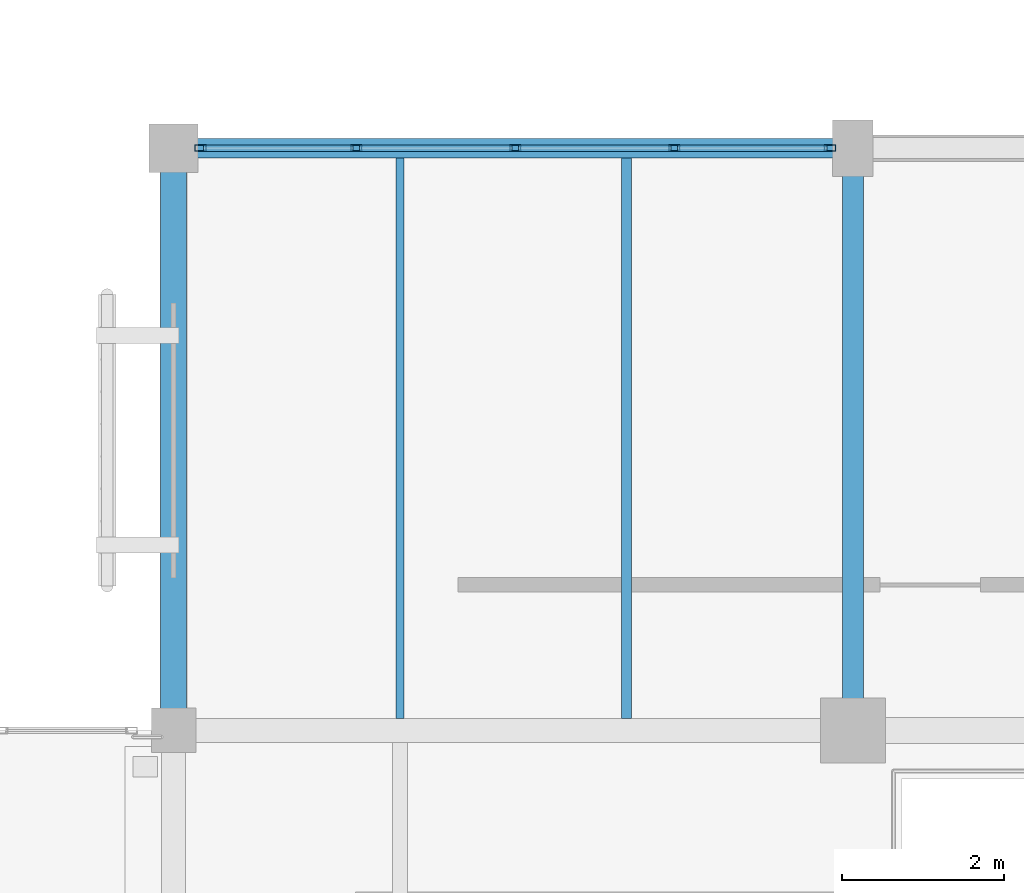
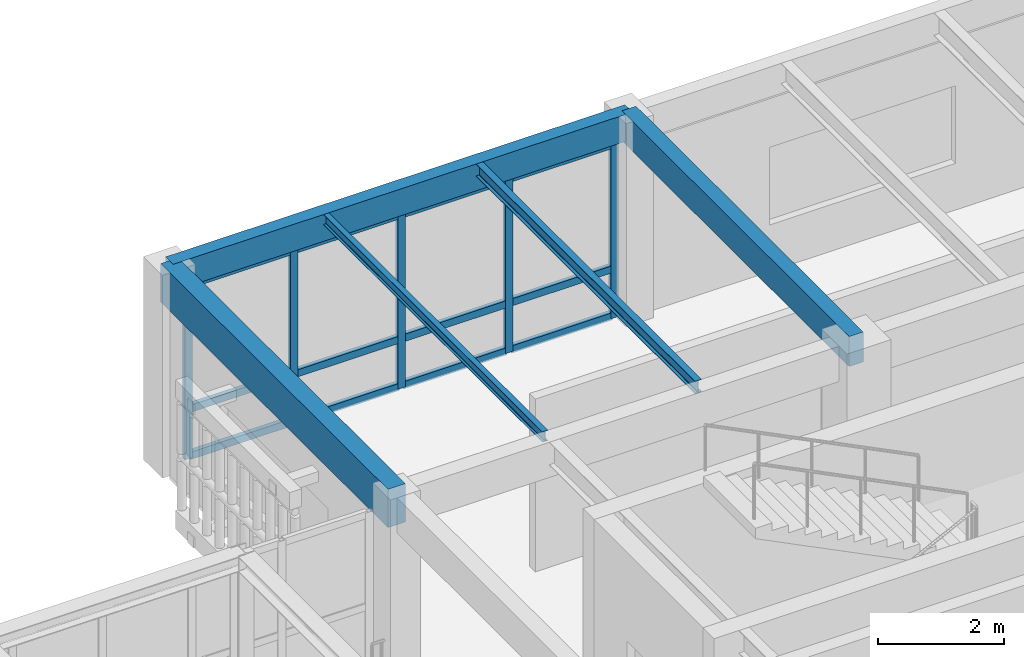
# One storey, part 40 of 170: 17 members, 5 beams, 1 element without a shape of its own.
"""IFC4 building model written with IfcOpenShell, lengths in metres."""

from ifc_helpers import new_model, si_unit, direction, frame, origin, origin_2d, place, context, subcontext, project, spatial, rectangle, hollow_rectangle, i_section, extrude, material, layer, layer_set, material_profile, profile_set, type_object, element, aggregate, save


model = new_model("IFC4")

# Units and contexts
model_context = context("Model", 3, precision=1e-05, world=origin(), true_north=direction((0.0, 1.0)))
body_context = subcontext(model_context, "Body", "Model", "MODEL_VIEW")
ifc_project = project(units=[si_unit("LENGTHUNIT", "METRE"), si_unit("AREAUNIT", "SQUARE_METRE"), si_unit("VOLUMEUNIT", "CUBIC_METRE"), si_unit("PLANEANGLEUNIT", "RADIAN"), si_unit("MASSUNIT", "GRAM", prefix="KILO")], contexts=[model_context])

# Site, building, storey
site_placement = place(None, origin())
site = spatial("IfcSite", under=ifc_project, at=site_placement, CompositionType="ELEMENT")
building_placement = place(site_placement, origin())
building = spatial("IfcBuilding", under=site, at=building_placement, Name="Mazaris Harbour Polytechnic", CompositionType="ELEMENT")
storey_placement = place(building_placement, frame((0.0, 0.0, 5.39990234375)))
storey = spatial("IfcBuildingStorey", under=building, at=storey_placement, Name="L01", CompositionType="ELEMENT", Elevation=5.39990234375)

# Curtain wall, members
ifc_material_1 = material(Name="Anodised Bronze Aluminium and Low-E Glass", Category="aluminium")
ifc_layer = layer(ifc_material_1, 0.159912109375, Name="Anodised Bronze Aluminium and Low-E Glass")
ifc_layer_set = layer_set([ifc_layer], Name="Anodised Bronze Aluminium and Low-E Glass")
curtain_wall_type = type_object("IfcCurtainWallType", Name="Cloister Court Curtain Wall", PredefinedType="NOTDEFINED", material=ifc_layer_set)
curtain_wall_placement = place(storey_placement, origin())
curtain_wall = element("IfcCurtainWall", 1, at=curtain_wall_placement, inside=storey, type_object=curtain_wall_type, Name="V3 L01 Curtain Wall 75", PredefinedType="NOTDEFINED")
ifc_material_2 = material(Name="Anodised Bronze Steel S355", Category="steel")
ifc_material_profile_1 = material_profile(ifc_material_2, hollow_rectangle(XDim=0.080078125, YDim=0.139892578125, WallThickness=0.00634765625, at=origin_2d()), Name="RHS 80x140x6.3")
ifc_profile_set_1 = profile_set([ifc_material_profile_1], Name="Anodised Bronze Steel S355")
member_type_1 = type_object("IfcMemberType", Name="Curtain Mullion RHS80x140", PredefinedType="MULLION", material=ifc_profile_set_1)
member_1_placement = place(storey_placement, frame((54.33203125, 36.0, 0.0), z_axis=(0.0, 0.0, 1.0), x_axis=(0.0, 1.0, 0.0)))
member_1 = element("IfcMember", 2, at=member_1_placement, type_object=member_type_1, Name="CW-02 mullion 1", PredefinedType="MULLION", context=body_context, shape_type="SweptSolid", body=[
    extrude(hollow_rectangle(XDim=0.080078125, YDim=0.139892578125, WallThickness=0.00634765625, at=origin_2d()), origin(), (0.0, 0.0, 1.0), 3.39013671875),
])
member_2_placement = place(storey_placement, frame((56.258544921875, 36.0, 0.0), z_axis=(0.0, 0.0, 1.0), x_axis=(0.0, 1.0, 0.0)))
member_2 = element("IfcMember", 3, at=member_2_placement, type_object=member_type_1, Name="CW-02 mullion 2", PredefinedType="MULLION", context=body_context, shape_type="SweptSolid", body=[
    extrude(hollow_rectangle(XDim=0.080078125, YDim=0.139892578125, WallThickness=0.00634765625, at=origin_2d()), origin(), (0.0, 0.0, 1.0), 3.39013671875),
])
member_3_placement = place(storey_placement, frame((58.22509765625, 36.0, 0.0), z_axis=(0.0, 0.0, 1.0), x_axis=(0.0, 1.0, 0.0)))
member_3 = element("IfcMember", 4, at=member_3_placement, type_object=member_type_1, Name="CW-02 mullion 3", PredefinedType="MULLION", context=body_context, shape_type="SweptSolid", body=[
    extrude(hollow_rectangle(XDim=0.080078125, YDim=0.139892578125, WallThickness=0.00634765625, at=origin_2d()), origin(), (0.0, 0.0, 1.0), 3.39013671875),
])
member_4_placement = place(storey_placement, frame((60.19140625, 36.0, 0.0), z_axis=(0.0, 0.0, 1.0), x_axis=(0.0, 1.0, 0.0)))
member_4 = element("IfcMember", 5, at=member_4_placement, type_object=member_type_1, Name="CW-02 mullion 4", PredefinedType="MULLION", context=body_context, shape_type="SweptSolid", body=[
    extrude(hollow_rectangle(XDim=0.080078125, YDim=0.139892578125, WallThickness=0.00634765625, at=origin_2d()), origin(), (0.0, 0.0, 1.0), 3.39013671875),
])
member_5_placement = place(storey_placement, frame((62.117919921875, 36.0, 0.0), z_axis=(0.0, 0.0, 1.0), x_axis=(0.0, 1.0, 0.0)))
member_5 = element("IfcMember", 6, at=member_5_placement, type_object=member_type_1, Name="CW-02 mullion 5", PredefinedType="MULLION", context=body_context, shape_type="SweptSolid", body=[
    extrude(hollow_rectangle(XDim=0.080078125, YDim=0.139892578125, WallThickness=0.00634765625, at=origin_2d()), origin(), (0.0, 0.0, 1.0), 3.39013671875),
])
ifc_material_3 = material(Name="Anodised Bronze Steel S355", Category="steel")
ifc_material_profile_2 = material_profile(ifc_material_3, hollow_rectangle(XDim=0.080078125, YDim=0.139892578125, WallThickness=0.00634765625, at=origin_2d()), Name="RHS 80x140x6.3")
ifc_profile_set_2 = profile_set([ifc_material_profile_2], Name="Anodised Bronze Steel S355")
member_type_2 = type_object("IfcMemberType", Name="Curtain Transom RHS80x140", PredefinedType="USERDEFINED", material=ifc_profile_set_2)
member_6_placement = place(storey_placement, frame((54.3720703125, 36.0, 0.0400390625), z_axis=(1.0, 0.0, 0.0), x_axis=(0.0, 1.0, 0.0)))
member_6 = element("IfcMember", 7, at=member_6_placement, type_object=member_type_2, Name="CW-02 transom 1.1", ObjectType="TRANSOM", PredefinedType="USERDEFINED", context=body_context, shape_type="SweptSolid", body=[
    extrude(hollow_rectangle(XDim=0.080078125, YDim=0.139892578125, WallThickness=0.00634765625, at=origin_2d()), origin(), (0.0, 0.0, 1.0), 1.846435546875),
])
member_7_placement = place(storey_placement, frame((54.3720703125, 36.0, 0.9501953125), z_axis=(1.0, 0.0, 0.0), x_axis=(0.0, 1.0, 0.0)))
member_7 = element("IfcMember", 8, at=member_7_placement, type_object=member_type_2, Name="CW-02 transom 1.2", ObjectType="TRANSOM", PredefinedType="USERDEFINED", context=body_context, shape_type="SweptSolid", body=[
    extrude(hollow_rectangle(XDim=0.080078125, YDim=0.139892578125, WallThickness=0.00634765625, at=origin_2d()), origin(), (0.0, 0.0, 1.0), 1.846435546875),
])
member_8_placement = place(storey_placement, frame((54.3720703125, 36.0, 3.35009765625), z_axis=(1.0, 0.0, 0.0), x_axis=(0.0, 1.0, 0.0)))
member_8 = element("IfcMember", 9, at=member_8_placement, type_object=member_type_2, Name="CW-02 transom 1.3", ObjectType="TRANSOM", PredefinedType="USERDEFINED", context=body_context, shape_type="SweptSolid", body=[
    extrude(hollow_rectangle(XDim=0.080078125, YDim=0.139892578125, WallThickness=0.00634765625, at=origin_2d()), origin(), (0.0, 0.0, 1.0), 1.846435546875),
])
member_9_placement = place(storey_placement, frame((56.298583984375, 36.0, 0.0400390625), z_axis=(1.0, 0.0, 0.0), x_axis=(0.0, 1.0, 0.0)))
member_9 = element("IfcMember", 10, at=member_9_placement, type_object=member_type_2, Name="CW-02 transom 2.1", ObjectType="TRANSOM", PredefinedType="USERDEFINED", context=body_context, shape_type="SweptSolid", body=[
    extrude(hollow_rectangle(XDim=0.080078125, YDim=0.139892578125, WallThickness=0.00634765625, at=origin_2d()), origin(), (0.0, 0.0, 1.0), 1.886474609375),
])
member_10_placement = place(storey_placement, frame((56.298583984375, 36.0, 0.9501953125), z_axis=(1.0, 0.0, 0.0), x_axis=(0.0, 1.0, 0.0)))
member_10 = element("IfcMember", 11, at=member_10_placement, type_object=member_type_2, Name="CW-02 transom 2.2", ObjectType="TRANSOM", PredefinedType="USERDEFINED", context=body_context, shape_type="SweptSolid", body=[
    extrude(hollow_rectangle(XDim=0.080078125, YDim=0.139892578125, WallThickness=0.00634765625, at=origin_2d()), origin(), (0.0, 0.0, 1.0), 1.886474609375),
])
member_11_placement = place(storey_placement, frame((56.298583984375, 36.0, 3.35009765625), z_axis=(1.0, 0.0, 0.0), x_axis=(0.0, 1.0, 0.0)))
member_11 = element("IfcMember", 12, at=member_11_placement, type_object=member_type_2, Name="CW-02 transom 2.3", ObjectType="TRANSOM", PredefinedType="USERDEFINED", context=body_context, shape_type="SweptSolid", body=[
    extrude(hollow_rectangle(XDim=0.080078125, YDim=0.139892578125, WallThickness=0.00634765625, at=origin_2d()), origin(), (0.0, 0.0, 1.0), 1.886474609375),
])
member_12_placement = place(storey_placement, frame((58.264892578125, 36.0, 0.0400390625), z_axis=(1.0, 0.0, 0.0), x_axis=(0.0, 1.0, 0.0)))
member_12 = element("IfcMember", 13, at=member_12_placement, type_object=member_type_2, Name="CW-02 transom 3.1", ObjectType="TRANSOM", PredefinedType="USERDEFINED", context=body_context, shape_type="SweptSolid", body=[
    extrude(hollow_rectangle(XDim=0.080078125, YDim=0.139892578125, WallThickness=0.00634765625, at=origin_2d()), origin(), (0.0, 0.0, 1.0), 1.88671875),
])
member_13_placement = place(storey_placement, frame((58.264892578125, 36.0, 0.9501953125), z_axis=(1.0, 0.0, 0.0), x_axis=(0.0, 1.0, 0.0)))
member_13 = element("IfcMember", 14, at=member_13_placement, type_object=member_type_2, Name="CW-02 transom 3.2", ObjectType="TRANSOM", PredefinedType="USERDEFINED", context=body_context, shape_type="SweptSolid", body=[
    extrude(hollow_rectangle(XDim=0.080078125, YDim=0.139892578125, WallThickness=0.00634765625, at=origin_2d()), origin(), (0.0, 0.0, 1.0), 1.88671875),
])
member_14_placement = place(storey_placement, frame((58.264892578125, 36.0, 3.35009765625), z_axis=(1.0, 0.0, 0.0), x_axis=(0.0, 1.0, 0.0)))
member_14 = element("IfcMember", 15, at=member_14_placement, type_object=member_type_2, Name="CW-02 transom 3.3", ObjectType="TRANSOM", PredefinedType="USERDEFINED", context=body_context, shape_type="SweptSolid", body=[
    extrude(hollow_rectangle(XDim=0.080078125, YDim=0.139892578125, WallThickness=0.00634765625, at=origin_2d()), origin(), (0.0, 0.0, 1.0), 1.88671875),
])
member_15_placement = place(storey_placement, frame((60.2314453125, 36.0, 0.0400390625), z_axis=(1.0, 0.0, 0.0), x_axis=(0.0, 1.0, 0.0)))
member_15 = element("IfcMember", 16, at=member_15_placement, type_object=member_type_2, Name="CW-02 transom 4.1", ObjectType="TRANSOM", PredefinedType="USERDEFINED", context=body_context, shape_type="SweptSolid", body=[
    extrude(hollow_rectangle(XDim=0.080078125, YDim=0.139892578125, WallThickness=0.00634765625, at=origin_2d()), origin(), (0.0, 0.0, 1.0), 1.846435546875),
])
member_16_placement = place(storey_placement, frame((60.2314453125, 36.0, 0.9501953125), z_axis=(1.0, 0.0, 0.0), x_axis=(0.0, 1.0, 0.0)))
member_16 = element("IfcMember", 17, at=member_16_placement, type_object=member_type_2, Name="CW-02 transom 4.2", ObjectType="TRANSOM", PredefinedType="USERDEFINED", context=body_context, shape_type="SweptSolid", body=[
    extrude(hollow_rectangle(XDim=0.080078125, YDim=0.139892578125, WallThickness=0.00634765625, at=origin_2d()), origin(), (0.0, 0.0, 1.0), 1.846435546875),
])
member_17_placement = place(storey_placement, frame((60.2314453125, 36.0, 3.35009765625), z_axis=(1.0, 0.0, 0.0), x_axis=(0.0, 1.0, 0.0)))
member_17 = element("IfcMember", 18, at=member_17_placement, type_object=member_type_2, Name="CW-02 transom 4.3", ObjectType="TRANSOM", PredefinedType="USERDEFINED", context=body_context, shape_type="SweptSolid", body=[
    extrude(hollow_rectangle(XDim=0.080078125, YDim=0.139892578125, WallThickness=0.00634765625, at=origin_2d()), origin(), (0.0, 0.0, 1.0), 1.846435546875),
])
aggregate(curtain_wall, [member_1, member_2, member_3, member_4, member_5, member_6, member_7, member_8, member_9, member_10, member_11, member_12, member_13, member_14, member_15, member_16, member_17])

# Beams
ifc_material_4 = material(Name="Glulam GL32h", Category="wood")
ifc_material_profile_3 = material_profile(ifc_material_4, rectangle(XDim=0.239990234375, YDim=0.52001953125, at=origin_2d()), Name="RECT240x520")
ifc_profile_set_3 = profile_set([ifc_material_profile_3], Name="Glulam GL32h")
beam_type_1 = type_object("IfcBeamType", Name="Glulam Girder 240x520 Exterior", PredefinedType="BEAM", material=ifc_profile_set_3)
beam_1_placement = place(storey_placement, frame((54.0, 36.0, 3.66015625), z_axis=(1.0, 0.0, 0.0), x_axis=(0.0, 1.0, 0.0)))
element("IfcBeam", 19, at=beam_1_placement, inside=storey, type_object=beam_type_1, Name="V3 L01 Girder 990", PredefinedType="BEAM", context=body_context, shape_type="SweptSolid", body=[
    extrude(rectangle(XDim=0.239990234375, YDim=0.52001953125, at=origin_2d()), origin(), (0.0, 0.0, 1.0), 8.39990234375),
])
ifc_material_5 = material(Name="Glulam GL32h", Category="wood")
ifc_material_profile_4 = material_profile(ifc_material_5, rectangle(XDim=0.260009765625, YDim=0.580078125, at=origin_2d()), Name="RECT260x580")
ifc_profile_set_4 = profile_set([ifc_material_profile_4], Name="Glulam GL32h")
beam_type_2 = type_object("IfcBeamType", Name="Glulam Girder 260x580", PredefinedType="BEAM", material=ifc_profile_set_4)
beam_2_placement = place(storey_placement, frame((62.39990234375, 28.800048828125, 3.630126953125), z_axis=(0.0, 1.0, 0.0), x_axis=(-1.0, 0.0, 0.0)))
element("IfcBeam", 20, at=beam_2_placement, inside=storey, type_object=beam_type_2, Name="V3 L01 Tie Girder 1001", PredefinedType="BEAM", context=body_context, shape_type="SweptSolid", body=[
    extrude(rectangle(XDim=0.260009765625, YDim=0.580078125, at=origin_2d()), origin(), (0.0, 0.0, 1.0), 7.199951171875),
])
ifc_material_6 = material(Name="Glulam GL32h", Category="wood")
ifc_material_profile_5 = material_profile(ifc_material_6, rectangle(XDim=0.320068359375, YDim=0.739990234375, at=origin_2d()), Name="RECT320x740")
ifc_profile_set_5 = profile_set([ifc_material_profile_5], Name="Glulam GL32h")
beam_type_3 = type_object("IfcBeamType", Name="Glulam Girder 320x740 Exterior", PredefinedType="BEAM", material=ifc_profile_set_5)
beam_3_placement = place(storey_placement, frame((54.0, 28.800048828125, 3.550048828125), z_axis=(0.0, 1.0, 0.0), x_axis=(-1.0, 0.0, 0.0)))
element("IfcBeam", 21, at=beam_3_placement, inside=storey, type_object=beam_type_3, Name="V3 L01 Tie Girder 999", PredefinedType="BEAM", context=body_context, shape_type="SweptSolid", body=[
    extrude(rectangle(XDim=0.320068359375, YDim=0.739990234375, at=origin_2d()), origin(), (0.0, 0.0, 1.0), 7.199951171875),
])
ifc_material_7 = material(Name="Steel S355", Category="steel")
ifc_material_profile_6 = material_profile(ifc_material_7, i_section(OverallWidth=0.10009765625, OverallDepth=0.199951171875, WebThickness=0.005615234375, FlangeThickness=0.008544921875, FilletRadius=0.011962890625, at=origin_2d()), Name="IPE 200")
ifc_profile_set_6 = profile_set([ifc_material_profile_6], Name="Steel S355")
beam_type_4 = type_object("IfcBeamType", Name="Steel Joist IPE200", PredefinedType="JOIST", material=ifc_profile_set_6)
beam_4_placement = place(storey_placement, frame((56.800048828125, 28.949951171875, 3.820068359375), z_axis=(0.0, 1.0, 0.0), x_axis=(-1.0, 0.0, 0.0)))
element("IfcBeam", 22, at=beam_4_placement, inside=storey, type_object=beam_type_4, Name="V3 L01 Floor Joist 1022", PredefinedType="JOIST", context=body_context, shape_type="SweptSolid", body=[
    extrude(i_section(OverallWidth=0.10009765625, OverallDepth=0.199951171875, WebThickness=0.005615234375, FlangeThickness=0.008544921875, FilletRadius=0.011962890625, at=origin_2d()), origin(), (0.0, 0.0, 1.0), 6.929931640625),
])
ifc_material_8 = material(Name="Steel S355", Category="steel")
ifc_material_profile_7 = material_profile(ifc_material_8, i_section(OverallWidth=0.1201171875, OverallDepth=0.239990234375, WebThickness=0.006103515625, FlangeThickness=0.009765625, FilletRadius=0.014892578125, at=origin_2d()), Name="IPE 240")
ifc_profile_set_7 = profile_set([ifc_material_profile_7], Name="Steel S355")
beam_type_5 = type_object("IfcBeamType", Name="Steel Joist IPE240", PredefinedType="JOIST", material=ifc_profile_set_7)
beam_5_placement = place(storey_placement, frame((59.60009765625, 28.949951171875, 3.800048828125), z_axis=(0.0, 1.0, 0.0), x_axis=(-1.0, 0.0, 0.0)))
element("IfcBeam", 23, at=beam_5_placement, inside=storey, type_object=beam_type_5, Name="V3 L01 Floor Joist 1023", PredefinedType="JOIST", context=body_context, shape_type="SweptSolid", body=[
    extrude(i_section(OverallWidth=0.1201171875, OverallDepth=0.239990234375, WebThickness=0.006103515625, FlangeThickness=0.009765625, FilletRadius=0.014892578125, at=origin_2d()), origin(), (0.0, 0.0, 1.0), 6.929931640625),
])

save(model, "model.ifc")
